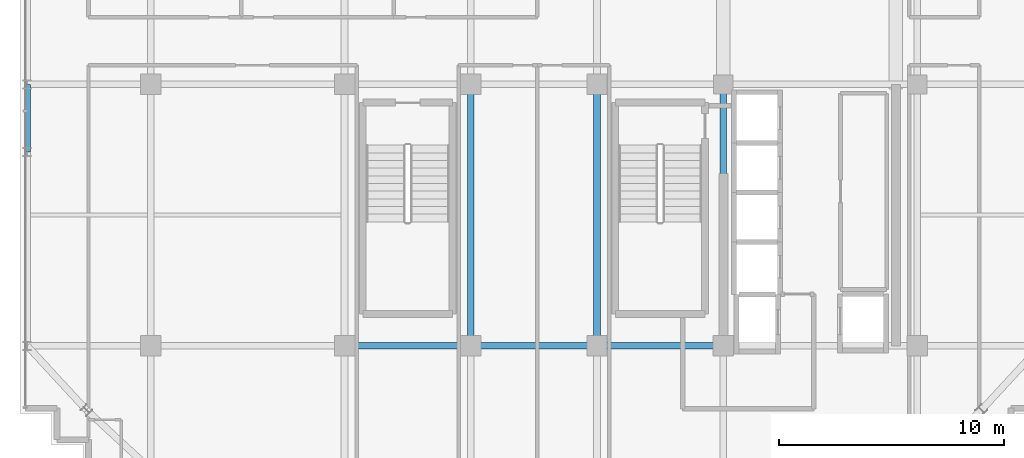
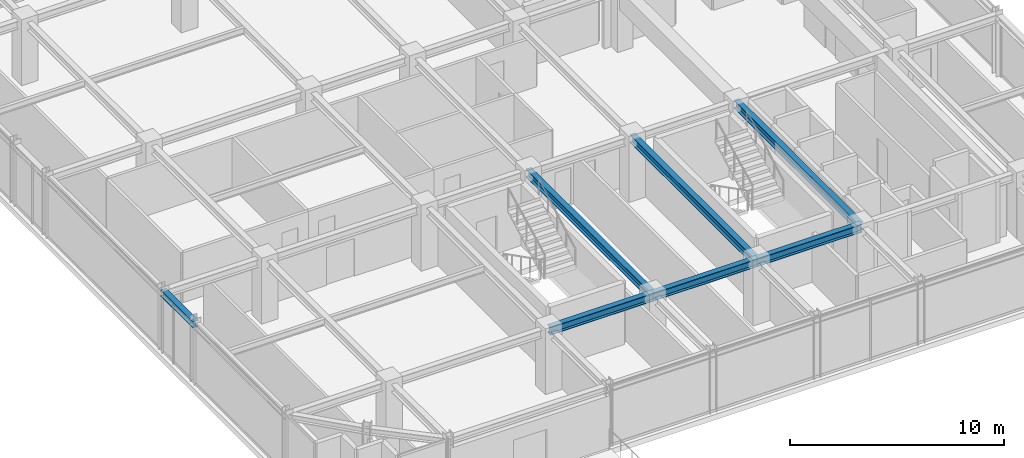
# One storey, part 8 of 32: 7 beams.
"""IFC4 building model written with IfcOpenShell, lengths in metres."""

from ifc_helpers import new_model, si_unit, direction, frame, origin, origin_2d, place, context, subcontext, project, spatial, i_section, extrude, source, transform, mapped, material, material_profile, profile_set, type_object, element, save


model = new_model("IFC4")

# Units and contexts
model_context = context("Model", 3, precision=1e-05, world=origin(), true_north=direction((0.0, 1.0)))
body_context = subcontext(model_context, "Body", "Model", "MODEL_VIEW")
ifc_project = project(units=[si_unit("LENGTHUNIT", "METRE"), si_unit("AREAUNIT", "SQUARE_METRE"), si_unit("VOLUMEUNIT", "CUBIC_METRE"), si_unit("PLANEANGLEUNIT", "RADIAN"), si_unit("MASSUNIT", "GRAM", prefix="KILO")], contexts=[model_context])

# Site, building, storey
site_placement = place(None, origin())
site = spatial("IfcSite", under=ifc_project, at=site_placement, CompositionType="ELEMENT")
building_placement = place(site_placement, origin())
building = spatial("IfcBuilding", under=site, at=building_placement, Name="Nahalor Promenade Grand Hotel", CompositionType="ELEMENT")
storey_placement = place(building_placement, frame((0.0, 0.0, 330.949951171875)))
storey = spatial("IfcBuildingStorey", under=building, at=storey_placement, Name="L85", CompositionType="ELEMENT", Elevation=330.949951171875)

# Beams
ifc_material = material(Name="Steel S355JR", Category="steel")
ifc_material_profile_1 = material_profile(ifc_material, i_section(OverallWidth=0.3, OverallDepth=0.45, WebThickness=0.014, FlangeThickness=0.026, at=origin_2d()), Name="HEB 450")
ifc_profile_set_1 = profile_set([ifc_material_profile_1], Name="Steel S355JR")
beam_type_1 = type_object("IfcBeamType", Name="Beam-Girder-HEB450", PredefinedType="BEAM", material=ifc_profile_set_1)
shared_shape_1 = source(origin(), body_context, "Body", "SweptSolid", [
    extrude(i_section(OverallWidth=0.3, OverallDepth=0.45, WebThickness=0.014, FlangeThickness=0.026, at=origin_2d()), origin(), (0.0, 0.0, 1.0), 5.599853515625),
])
for number, where, z_axis, x_axis, name in (
    (1, (-8.39990234375, -17.0, 3.275146484375), (1.0, 0.0, 0.0), (0.0, 1.0, 0.0), "BM-L85-GX-0-2"),
    (2, (2.800048828125, -17.0, 3.275146484375), (1.0, 0.0, 0.0), (0.0, 1.0, 0.0), "BM-L85-GX-0-4"),
):
    element("IfcBeam", number, at=place(storey_placement, frame(where, z_axis=z_axis, x_axis=x_axis)), inside=storey, type_object=beam_type_1, Name=name, PredefinedType="BEAM", context=body_context, shape_type="MappedRepresentation", body=[
        mapped(shared_shape_1, transform((0.0, 0.0, 0.0), scale=1.0)),
    ])
shared_shape_2 = source(origin(), body_context, "Body", "SweptSolid", [
    extrude(i_section(OverallWidth=0.3, OverallDepth=0.45, WebThickness=0.014, FlangeThickness=0.026, at=origin_2d()), origin(), (0.0, 0.0, 1.0), 5.60009765625),
])
beam_1_placement = place(storey_placement, frame((-2.800048828125, -17.0, 3.275146484375), z_axis=(1.0, 0.0, 0.0), x_axis=(0.0, 1.0, 0.0)))
element("IfcBeam", 3, at=beam_1_placement, inside=storey, type_object=beam_type_1, Name="BM-L85-GX-0-3", PredefinedType="BEAM", context=body_context, shape_type="MappedRepresentation", body=[
    mapped(shared_shape_2, transform((0.0, 0.0, 0.0), scale=1.0)),
])
shared_shape_3 = source(origin(), body_context, "Body", "SweptSolid", [
    extrude(i_section(OverallWidth=0.3, OverallDepth=0.45, WebThickness=0.014, FlangeThickness=0.026, at=origin_2d()), origin(), (0.0, 0.0, 1.0), 11.60009765625),
])
for number, where, z_axis, x_axis, name in (
    (4, (-2.800048828125, -17.0, 3.275146484375), (0.0, 1.0, 0.0), (-1.0, 0.0, 0.0), "BM-L85-GY-2-1"),
    (5, (2.800048828125, -17.0, 3.275146484375), (0.0, 1.0, 0.0), (-1.0, 0.0, 0.0), "BM-L85-GY-3-1"),
    (6, (8.39990234375, -17.0, 3.275146484375), (0.0, 1.0, 0.0), (-1.0, 0.0, 0.0), "BM-L85-GY-4-1"),
):
    element("IfcBeam", number, at=place(storey_placement, frame(where, z_axis=z_axis, x_axis=x_axis)), inside=storey, type_object=beam_type_1, Name=name, PredefinedType="BEAM", context=body_context, shape_type="MappedRepresentation", body=[
        mapped(shared_shape_3, transform((0.0, 0.0, 0.0), scale=1.0)),
    ])
ifc_material_profile_2 = material_profile(ifc_material, i_section(OverallWidth=0.3, OverallDepth=0.36, WebThickness=0.0125, FlangeThickness=0.0225, at=origin_2d()), Name="HEB 360")
ifc_profile_set_2 = profile_set([ifc_material_profile_2], Name="Steel S355JR")
beam_type_2 = type_object("IfcBeamType", Name="Beam-Spandrel-HEB360", PredefinedType="SPANDREL", material=ifc_profile_set_2)
shared_shape_4 = source(origin(), body_context, "Body", "SweptSolid", [
    extrude(i_section(OverallWidth=0.3, OverallDepth=0.36, WebThickness=0.0125, FlangeThickness=0.0225, at=origin_2d()), origin(), (0.0, 0.0, 1.0), 3.0),
])
beam_2_placement = place(storey_placement, frame((-22.47998046875, -8.39990234375, 3.320068359375), z_axis=(0.0, 1.0, 0.0), x_axis=(-1.0, 0.0, 0.0)))
element("IfcBeam", 7, at=beam_2_placement, inside=storey, type_object=beam_type_2, Name="BM-L85-SP-W-1", PredefinedType="SPANDREL", context=body_context, shape_type="MappedRepresentation", body=[
    mapped(shared_shape_4, transform((0.0, 0.0, 0.0), scale=1.0)),
])

save(model, "model.ifc")
